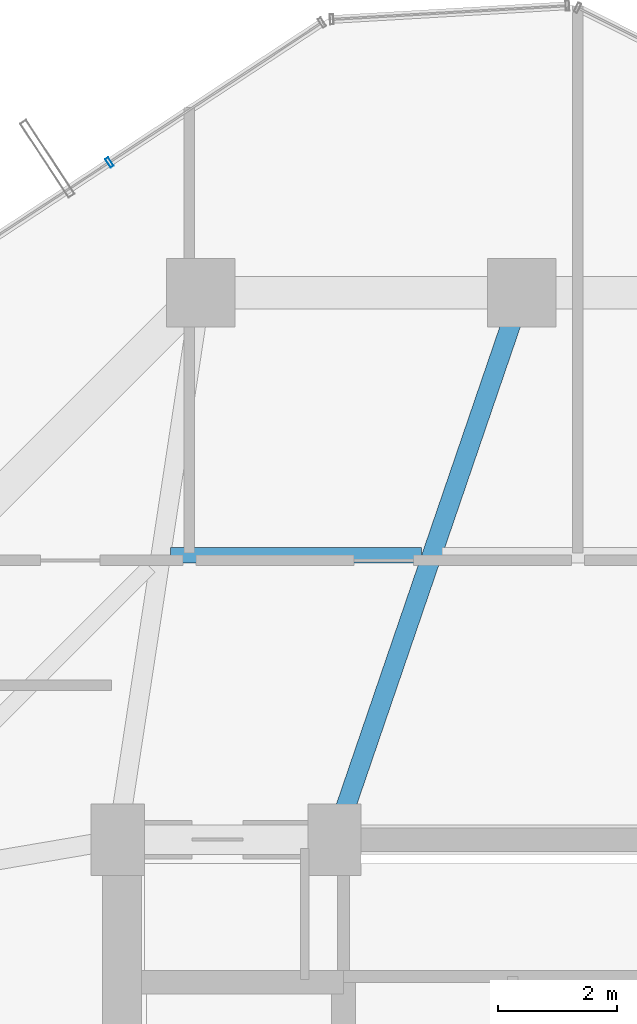
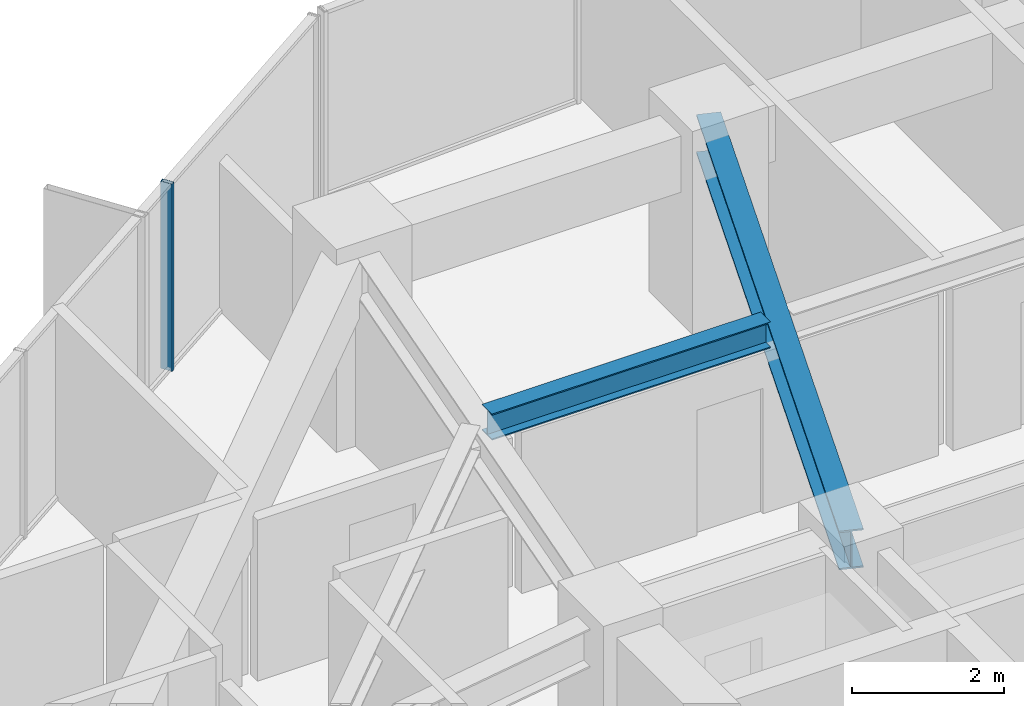
# One storey, part 21 of 33: 2 beams, 1 member, 1 element without a shape of its own.
"""IFC4 building model written with IfcOpenShell, lengths in metres."""

from ifc_helpers import new_model, si_unit, direction, frame, origin, origin_2d, place, context, subcontext, project, spatial, hollow_rectangle, i_section, extrude, source, transform, mapped, material, layer, layer_set, material_profile, profile_set, type_object, element, aggregate, save


model = new_model("IFC4")

# Units and contexts
model_context = context("Model", 3, precision=1e-05, world=origin(), true_north=direction((0.0, 1.0)))
body_context = subcontext(model_context, "Body", "Model", "MODEL_VIEW")
ifc_project = project(units=[si_unit("LENGTHUNIT", "METRE"), si_unit("AREAUNIT", "SQUARE_METRE"), si_unit("VOLUMEUNIT", "CUBIC_METRE"), si_unit("PLANEANGLEUNIT", "RADIAN"), si_unit("MASSUNIT", "GRAM", prefix="KILO")], contexts=[model_context])

# Site, building, storey
site_placement = place(None, origin())
site = spatial("IfcSite", under=ifc_project, at=site_placement, CompositionType="ELEMENT")
building_placement = place(site_placement, origin())
building = spatial("IfcBuilding", under=site, at=building_placement, Name="Veraguas Prism Commons", CompositionType="ELEMENT")
storey_placement = place(building_placement, frame((0.0, 0.0, 139.25)))
storey = spatial("IfcBuildingStorey", under=building, at=storey_placement, Name="L39", CompositionType="ELEMENT", Elevation=139.25)

# Beams
ifc_material_1 = material(Name="Steel ASTM A992 Grade 50", Category="steel")
ifc_material_profile_1 = material_profile(ifc_material_1, i_section(OverallWidth=0.260986328125, OverallDepth=0.419921875, WebThickness=0.01171875, FlangeThickness=0.019287109375, at=origin_2d()), Name="W410X114")
ifc_profile_set_1 = profile_set([ifc_material_profile_1], Name="Steel ASTM A992 Grade 50")
beam_type_1 = type_object("IfcBeamType", Name="Lower Floor Joist W410x114", PredefinedType="JOIST", material=ifc_profile_set_1)
beam_1_placement = place(storey_placement, frame((22.31689453125, 35.783935546875, 2.7900390625), z_axis=(-1.0, 0.0, 0.0), x_axis=(0.0, -1.0, 0.0)))
element("IfcBeam", 1, at=beam_1_placement, inside=storey, type_object=beam_type_1, Name="Composite Floor Joist L39-JS05", PredefinedType="JOIST", context=body_context, shape_type="SweptSolid", body=[
    extrude(i_section(OverallWidth=0.260986328125, OverallDepth=0.419921875, WebThickness=0.01171875, FlangeThickness=0.019287109375, at=origin_2d()), origin(), (0.0, 0.0, 1.0), 4.22509765625),
])
ifc_material_profile_2 = material_profile(ifc_material_1, i_section(OverallWidth=0.327880859375, OverallDepth=0.6220703125, WebThickness=0.015380859375, FlangeThickness=0.0244140625, at=origin_2d()), Name="W610X195")
ifc_profile_set_2 = profile_set([ifc_material_profile_2], Name="Steel ASTM A992 Grade 50")
beam_type_2 = type_object("IfcBeamType", Name="Zone 2 Radial Girder W610x195", PredefinedType="BEAM", material=ifc_profile_set_2)
beam_2_placement = place(storey_placement, frame((24.0, 40.199951171875, 2.68896484375), z_axis=(-0.323922482989, -0.946083624747, 0.0), x_axis=(0.946083624747, -0.323922482989, 0.0)))
element("IfcBeam", 2, at=beam_2_placement, inside=storey, type_object=beam_type_2, Name="Radial Floor Girder L39-RD05", PredefinedType="BEAM", context=body_context, shape_type="SweptSolid", body=[
    extrude(i_section(OverallWidth=0.327880859375, OverallDepth=0.6220703125, WebThickness=0.015380859375, FlangeThickness=0.0244140625, at=origin_2d()), origin(), (0.0, 0.0, 1.0), 9.724365234375),
])

# Curtain wall, member
ifc_material_2 = material(Name="Anodised aluminium EN AW-6063 T6", Category="aluminium")
ifc_layer = layer(ifc_material_2, 0.169921875, Name="Unitised Flush Curtain Wall Zone 2", Category="aluminium")
ifc_layer_set = layer_set([ifc_layer], Name="Anodised aluminium EN AW-6063 T6")
curtain_wall_type = type_object("IfcCurtainWallType", Name="Unitised Flush Curtain Wall Zone 2", PredefinedType="NOTDEFINED", material=ifc_layer_set)
curtain_wall_placement = place(storey_placement, origin())
curtain_wall = element("IfcCurtainWall", 3, at=curtain_wall_placement, inside=storey, type_object=curtain_wall_type, Name="Tower Facade Curtain Wall L39-F2", PredefinedType="NOTDEFINED")
ifc_material_profile_3 = material_profile(ifc_material_2, hollow_rectangle(XDim=0.06005859375, YDim=0.169921875, WallThickness=0.00390625, at=origin_2d()), Name="AL60X170X4")
ifc_profile_set_3 = profile_set([ifc_material_profile_3], Name="Anodised aluminium EN AW-6063 T6")
member_type = type_object("IfcMemberType", Name="Curtain Wall Mullion Lower AL 60x170x4", PredefinedType="MULLION", material=ifc_profile_set_3)
shared_shape = source(origin(), body_context, "Body", "SweptSolid", [
    extrude(hollow_rectangle(XDim=0.06005859375, YDim=0.169921875, WallThickness=0.00390625, at=origin_2d()), origin(), (0.0, 0.0, 1.0), 3.0),
])
member_placement = place(storey_placement, frame((17.063232421875, 42.39599609375, 0.0), z_axis=(0.0, 0.0, 1.0), x_axis=(-0.835619500254, -0.54930870264, 0.0)))
member = element("IfcMember", 4, at=member_placement, type_object=member_type, Name="CW-Z2 Mullion 2", PredefinedType="MULLION", context=body_context, shape_type="MappedRepresentation", body=[
    mapped(shared_shape, transform((0.0, 0.0, 0.0), scale=1.0)),
])
aggregate(curtain_wall, [member])

save(model, "model.ifc")
